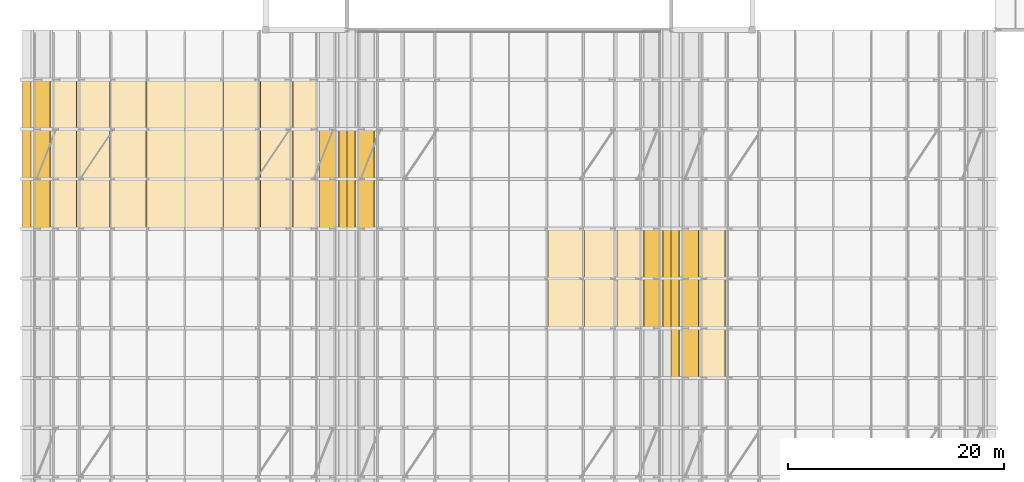
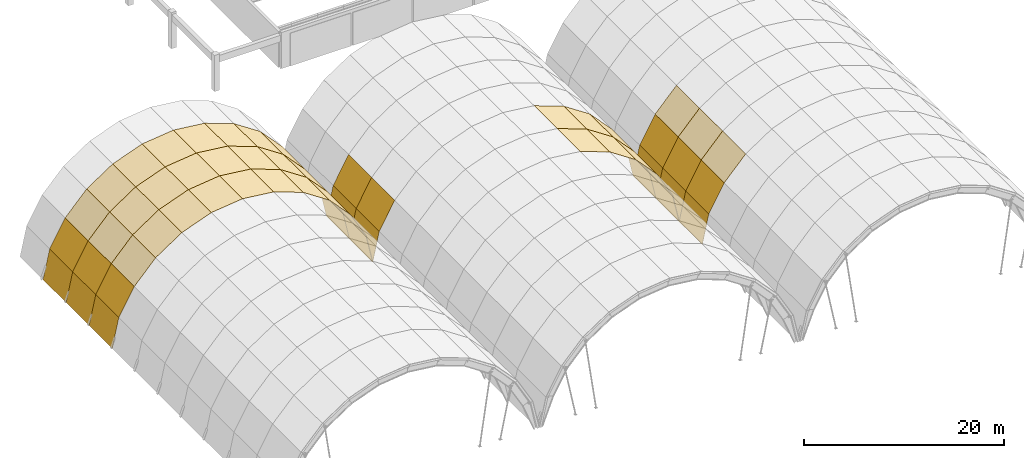
# One storey, part 43 of 47: 57 coverings.
"""IFC4 building model written with IfcOpenShell, lengths in metres."""

import ifcopenshell
import ifcopenshell.guid

model = None  # the IFC model being written
_history = None  # IfcOwnerHistory: only IFC2X3 demands one
_inside = {}  # id of a spatial element -> (the spatial element, [elements in it])
_under = {}  # id of a project, library or spatial element -> (it, [spatial elements below it])
_declared = {}  # id of a project -> (the project, [libraries it declares])
_typed = {}  # id of a type object -> (the type object, [elements of that type])
_made_of = {}  # id of a material, layer set ... -> (it, [elements and type objects made of it])


def new_model(schema):
    """Start an empty IFC model of exactly this schema.

    Asked for "IFC4X3", IfcOpenShell would pick the latest addendum, in which some entities
    have other attributes; the version numbers below select the first issue.
    IFC2X3 requires an IfcOwnerHistory on every rooted entity: one is made here for all.
    """
    global model, _history
    if schema == "IFC4X3":
        model = ifcopenshell.file(schema_version=(4, 3, 0, 0))
    else:
        model = ifcopenshell.file(schema=schema)
    _inside.clear()
    _under.clear()
    _declared.clear()
    _typed.clear()
    _made_of.clear()
    _history = None
    if model.schema == "IFC2X3":
        org = make("IfcOrganization", Name="unknown")
        user = make(
            "IfcPersonAndOrganization",
            ThePerson=make("IfcPerson", FamilyName="unknown"),
            TheOrganization=org,
        )
        app = make(
            "IfcApplication",
            ApplicationDeveloper=org,
            Version="unknown",
            ApplicationFullName="unknown",
            ApplicationIdentifier="unknown",
        )
        _history = make(
            "IfcOwnerHistory",
            OwningUser=user,
            OwningApplication=app,
            ChangeAction="ADDED",
            CreationDate=0,
        )
    return model


def make(cls, **values):
    """One entity of the class cls with the attributes given. An attribute that is None is left unset."""
    return model.create_entity(
        cls, **{name: value for name, value in values.items() if value is not None}
    )


def rooted(cls, **values):
    """An entity with a GlobalId (a new one), such as an element, a storey or a relation."""
    return make(cls, GlobalId=ifcopenshell.guid.new(), OwnerHistory=_history, **values)


def si_unit(unit_type, name, prefix=None):
    """IfcSIUnit, for example si_unit("LENGTHUNIT", "METRE", prefix="MILLI")."""
    return make("IfcSIUnit", UnitType=unit_type, Prefix=prefix, Name=name)


def assignment(units):
    """IfcUnitAssignment: the units of a project."""
    return None if units is None else make("IfcUnitAssignment", Units=units)


def point(xyz):
    """IfcCartesianPoint."""
    return None if xyz is None else make("IfcCartesianPoint", Coordinates=xyz)


def direction(xyz):
    """IfcDirection."""
    return None if xyz is None else make("IfcDirection", DirectionRatios=xyz)


def frame(location, z_axis=None, x_axis=None):
    """IfcAxis2Placement3D, a coordinate frame: its origin and axes. An axis left out is left unset."""
    return make(
        "IfcAxis2Placement3D",
        Location=point(location),
        Axis=direction(z_axis),
        RefDirection=direction(x_axis),
    )


def origin():
    """The frame at (0, 0, 0) with its axes left unset."""
    return frame((0.0, 0.0, 0.0))


def place(relative_to, where):
    """IfcLocalPlacement: puts the frame where relative to a parent placement (None: the world)."""
    return make(
        "IfcLocalPlacement", PlacementRelTo=relative_to, RelativePlacement=where
    )


def context(
    kind, dimensions, precision=None, world=None, true_north=None, identifier=None
):
    """IfcGeometricRepresentationContext, for example the 3D "Model" context."""
    return make(
        "IfcGeometricRepresentationContext",
        ContextIdentifier=identifier,
        ContextType=kind,
        CoordinateSpaceDimension=dimensions,
        Precision=precision,
        WorldCoordinateSystem=world,
        TrueNorth=true_north,
    )


def subcontext(parent, identifier, kind, view, scale=None):
    """IfcGeometricRepresentationSubContext, for example "Body" below "Model"."""
    return make(
        "IfcGeometricRepresentationSubContext",
        ContextIdentifier=identifier,
        ContextType=kind,
        ParentContext=parent,
        TargetScale=scale,
        TargetView=view,
    )


def project(units=None, contexts=None):
    """IfcProject with its units and contexts."""
    return rooted(
        "IfcProject",
        Name="project",
        RepresentationContexts=contexts,
        UnitsInContext=assignment(units),
    )


def spatial(cls, under=None, at=None, **own):
    """A site, building, storey or space (cls), placed at a placement, below another one or the project."""
    s = rooted(cls, ObjectPlacement=at, **own)
    if under is not None:
        _under.setdefault(under.id(), (under, []))[1].append(s)
    return s


def polyline(points):
    """IfcPolyline through the points."""
    return make("IfcPolyline", Points=[point(p) for p in points])


def outline(outer, holes=None, kind="AREA"):
    """IfcArbitraryClosedProfileDef: a profile drawn as a closed curve; with holes, ...WithVoids."""
    if holes is None:
        return make("IfcArbitraryClosedProfileDef", ProfileType=kind, OuterCurve=outer)
    return make(
        "IfcArbitraryProfileDefWithVoids",
        ProfileType=kind,
        OuterCurve=outer,
        InnerCurves=holes,
    )


def extrude(swept, where, along, depth):
    """IfcExtrudedAreaSolid: the profile swept, set in the frame where, extruded along a direction by depth."""
    return make(
        "IfcExtrudedAreaSolid",
        SweptArea=swept,
        Position=where,
        ExtrudedDirection=direction(along),
        Depth=depth,
    )


def shape(context_of_items, identifier, shape_type, items):
    """IfcShapeRepresentation: the items that make up one representation, for example the "Body"."""
    return make(
        "IfcShapeRepresentation",
        ContextOfItems=context_of_items,
        RepresentationIdentifier=identifier,
        RepresentationType=shape_type,
        Items=items,
    )


def material(Name=None, Category=None):
    """IfcMaterial."""
    return make("IfcMaterial", Name=Name, Category=Category)


def layer(
    of_material, thickness, ventilated=None, Name=None, Category=None, Priority=None
):
    """IfcMaterialLayer: one layer of a wall or slab, of a material (None: an air gap)."""
    return make(
        "IfcMaterialLayer",
        Material=of_material,
        LayerThickness=thickness,
        IsVentilated=ventilated,
        Name=Name,
        Category=Category,
        Priority=Priority,
    )


def layer_set(layers, Name=None):
    """IfcMaterialLayerSet."""
    return make("IfcMaterialLayerSet", MaterialLayers=layers, LayerSetName=Name)


def made_of(thing, what):
    """Note that an element or type object is made of a material, layer set ...; save() writes the relation."""
    if what is not None:
        _made_of.setdefault(what.id(), (what, []))[1].append(thing)
    return thing


def type_object(cls, material=None, **own):
    """A type object (cls), such as IfcWallType, which elements share."""
    return made_of(rooted(cls, **own), material)


def element(
    cls,
    number,
    at=None,
    inside=None,
    cuts=None,
    type_object=None,
    material=None,
    context=None,
    identifier="Body",
    shape_type=None,
    held_by="IfcProductDefinitionShape",
    body=None,
    shapes=None,
    **own,
):
    """One element of the class cls, such as IfcWall. Its Tag is "e" and its number.

    at: its placement. inside: the storey or other place that contains it. cuts: it is an
    opening in that element (IfcRelVoidsElement). A single representation is given by context,
    identifier, shape_type and body (its items); several are given by shapes. held_by: the class
    of the entity that holds the representations. save() writes the other relations.
    """
    e = rooted(cls, Tag="e%d" % number, ObjectPlacement=at, **own)
    if body is not None:
        shapes = [shape(context, identifier, shape_type, body)]
    if shapes is not None:
        e.Representation = make(held_by, Representations=shapes)
    if inside is not None:
        _inside.setdefault(inside.id(), (inside, []))[1].append(e)
    if cuts is not None:
        rooted(
            "IfcRelVoidsElement", RelatingBuildingElement=cuts, RelatedOpeningElement=e
        )
    if type_object is not None:
        _typed.setdefault(type_object.id(), (type_object, []))[1].append(e)
    return made_of(e, material)


def aggregate(whole, parts):
    """IfcRelAggregates: a whole, such as a stair, and the parts it consists of."""
    return rooted("IfcRelAggregates", RelatingObject=whole, RelatedObjects=parts)


def save(model, path):
    """Write the relations noted so far, then the file.

    IfcRelAggregates (storeys below a building ...), IfcRelContainedInSpatialStructure (elements
    in a storey), IfcRelDefinesByType, IfcRelAssociatesMaterial and IfcRelDeclares: one each for
    every whole, place, type object, material and project.
    """
    for whole, parts in _under.values():
        aggregate(whole, parts)
    for where, things in _inside.values():
        rooted(
            "IfcRelContainedInSpatialStructure",
            RelatedElements=things,
            RelatingStructure=where,
        )
    for kind, things in _typed.values():
        rooted("IfcRelDefinesByType", RelatedObjects=things, RelatingType=kind)
    for what, things in _made_of.values():
        rooted("IfcRelAssociatesMaterial", RelatedObjects=things, RelatingMaterial=what)
    for by, libraries in _declared.values():
        rooted("IfcRelDeclares", RelatingContext=by, RelatedDefinitions=libraries)
    model.write(path)


model = new_model("IFC4")

# Units and contexts
model_context = context("Model", 3, precision=1e-05, world=origin(), true_north=direction((0.0, 1.0)))
body_context = subcontext(model_context, "Body", "Model", "MODEL_VIEW")
ifc_project = project(units=[si_unit("LENGTHUNIT", "METRE"), si_unit("AREAUNIT", "SQUARE_METRE"), si_unit("VOLUMEUNIT", "CUBIC_METRE"), si_unit("PLANEANGLEUNIT", "RADIAN"), si_unit("MASSUNIT", "GRAM", prefix="KILO")], contexts=[model_context])

# Site, building, storey
site_placement = place(None, origin())
site = spatial("IfcSite", under=ifc_project, at=site_placement, CompositionType="ELEMENT")
building_placement = place(site_placement, origin())
building = spatial("IfcBuilding", under=site, at=building_placement, Name="Muzn Square Opera House", CompositionType="ELEMENT")
storey_placement = place(building_placement, frame((0.0, 0.0, 31.0)))
storey = spatial("IfcBuildingStorey", under=building, at=storey_placement, Name="RF-1", CompositionType="ELEMENT", Elevation=31.0)

# Coverings
ifc_material = material(Name="Patina green copper-zinc standing seam", Category="metal")
ifc_layer = layer(ifc_material, 0.0400390625, Name="Patina green copper-zinc standing seam", Category="metal")
ifc_layer_set = layer_set([ifc_layer], Name="Patina green copper-zinc standing seam")
covering_type = type_object("IfcCoveringType", Name="Standing Seam Green Vault Roofing", PredefinedType="ROOFING", material=ifc_layer_set)
covering_1_placement = place(storey_placement, frame((43.7431640625, 54.199951171875, -9.02001953125), z_axis=(-0.976986683404, 0.0, 0.213300305792), x_axis=(0.0, 1.0, 0.0)))
element("IfcCovering", 1, at=covering_1_placement, inside=storey, type_object=covering_type, Name="Patina Green Standing Seam Vault Roofing V1-07-F00", PredefinedType="ROOFING", context=body_context, shape_type="SweptSolid", body=[
    extrude(outline(polyline([(0.0, 3.561952816618029), (0.0, 0.0), (4.60009765625, 0.0), (4.60009765625, 3.561952816618029), (0.0, 3.561952816618029)])), origin(), (0.0, 0.0, -1.0), 0.0400390625),
])
covering_2_placement = place(storey_placement, frame((45.52490234375, 54.199951171875, -5.8681640625), z_axis=(-0.870532696062, 0.0, 0.492110582174), x_axis=(0.0, 1.0, 0.0)))
element("IfcCovering", 2, at=covering_2_placement, inside=storey, type_object=covering_type, Name="Patina Green Standing Seam Vault Roofing V1-07-F01", PredefinedType="ROOFING", context=body_context, shape_type="SweptSolid", body=[
    extrude(outline(polyline([(0.0, 3.620605501675236), (0.0, 0.0), (4.60009765625, 0.0), (4.60009765625, 3.620605501675236), (0.0, 3.620605501675236)])), origin(), (0.0, 0.0, -1.0), 0.0400390625),
])
covering_3_placement = place(storey_placement, frame((47.99072265625, 54.199951171875, -3.217041015625), z_axis=(-0.732233658575, 0.0, 0.68105349955), x_axis=(0.0, 1.0, 0.0)))
element("IfcCovering", 3, at=covering_3_placement, inside=storey, type_object=covering_type, Name="Patina Green Standing Seam Vault Roofing V1-07-F02", PredefinedType="ROOFING", context=body_context, shape_type="SweptSolid", body=[
    extrude(outline(polyline([(0.0, 3.6205970810364114), (0.0, 0.0), (4.60009765625, 0.0), (4.60009765625, 3.6205970810364114), (0.0, 3.6205970810364114)])), origin(), (0.0, 0.0, -1.0), 0.0400390625),
])
covering_4_placement = place(storey_placement, frame((51.005859375, 54.199951171875, -1.212158203125), z_axis=(-0.553703965812, 0.0, 0.832713587162), x_axis=(0.0, 1.0, 0.0)))
element("IfcCovering", 4, at=covering_4_placement, inside=storey, type_object=covering_type, Name="Patina Green Standing Seam Vault Roofing V1-07-F03", PredefinedType="ROOFING", context=body_context, shape_type="SweptSolid", body=[
    extrude(outline(polyline([(0.0, 3.620856877123484), (0.0, 0.0), (4.60009765625, 0.0), (4.60009765625, 3.620856877123484), (0.0, 3.620856877123484)])), origin(), (0.0, 0.0, -1.0), 0.0400390625),
])
covering_5_placement = place(storey_placement, frame((54.404296875, 54.199951171875, 0.036376953125), z_axis=(-0.344848988651, 0.0, 0.938658177947), x_axis=(0.0, 1.0, 0.0)))
element("IfcCovering", 5, at=covering_5_placement, inside=storey, type_object=covering_type, Name="Patina Green Standing Seam Vault Roofing V1-07-F04", PredefinedType="ROOFING", context=body_context, shape_type="SweptSolid", body=[
    extrude(outline(polyline([(0.0, 3.6205272375440654), (0.0, 0.0), (4.60009765625, 0.0), (4.60009765625, 3.6205272375440654), (0.0, 3.6205272375440654)])), origin(), (0.0, 0.0, -1.0), 0.0400390625),
])
covering_6_placement = place(storey_placement, frame((58.0, 54.199951171875, 0.4599609375), z_axis=(-0.116993830326, 0.0, 0.993132641527), x_axis=(0.0, 1.0, 0.0)))
element("IfcCovering", 6, at=covering_6_placement, inside=storey, type_object=covering_type, Name="Patina Green Standing Seam Vault Roofing V1-07-F05", PredefinedType="ROOFING", context=body_context, shape_type="SweptSolid", body=[
    extrude(outline(polyline([(0.0, 3.620566855473569), (0.0, 0.0), (4.60009765625, 0.0), (4.60009765625, 3.620566855473569), (0.0, 3.620566855473569)])), origin(), (0.0, 0.0, -1.0), 0.0400390625),
])
covering_7_placement = place(storey_placement, frame((58.0, 54.199951171875, 0.4599609375), z_axis=(0.116993830326, 0.0, 0.993132641527), x_axis=(0.993132641527, 0.0, -0.116993830326)))
element("IfcCovering", 7, at=covering_7_placement, inside=storey, type_object=covering_type, Name="Patina Green Standing Seam Vault Roofing V1-07-F06", PredefinedType="ROOFING", context=body_context, shape_type="SweptSolid", body=[
    extrude(outline(polyline([(0.0, 0.0), (3.620566855473569, 0.0), (3.620566855473569, 4.60009765625), (0.0, 4.60009765625), (0.0, 0.0)])), origin(), (0.0, 0.0, -1.0), 0.0400390625),
])
covering_8_placement = place(storey_placement, frame((61.595703125, 54.199951171875, 0.036376953125), z_axis=(0.344848988651, 0.0, 0.938658177947), x_axis=(0.938658177947, 0.0, -0.344848988651)))
element("IfcCovering", 8, at=covering_8_placement, inside=storey, type_object=covering_type, Name="Patina Green Standing Seam Vault Roofing V1-07-F07", PredefinedType="ROOFING", context=body_context, shape_type="SweptSolid", body=[
    extrude(outline(polyline([(0.0, 0.0), (3.6205272375440654, 0.0), (3.6205272375440654, 4.60009765625), (0.0, 4.60009765625), (0.0, 0.0)])), origin(), (0.0, 0.0, -1.0), 0.0400390625),
])
covering_9_placement = place(storey_placement, frame((64.994140625, 54.199951171875, -1.212158203125), z_axis=(0.553703965812, 0.0, 0.832713587162), x_axis=(0.832713587162, 0.0, -0.553703965812)))
element("IfcCovering", 9, at=covering_9_placement, inside=storey, type_object=covering_type, Name="Patina Green Standing Seam Vault Roofing V1-07-F08", PredefinedType="ROOFING", context=body_context, shape_type="SweptSolid", body=[
    extrude(outline(polyline([(0.0, 0.0), (3.620856877123484, 0.0), (3.620856877123484, 4.60009765625), (0.0, 4.60009765625), (0.0, 0.0)])), origin(), (0.0, 0.0, -1.0), 0.0400390625),
])
covering_10_placement = place(storey_placement, frame((68.00927734375, 54.199951171875, -3.217041015625), z_axis=(0.732233658575, 0.0, 0.68105349955), x_axis=(0.68105349955, 0.0, -0.732233658575)))
element("IfcCovering", 10, at=covering_10_placement, inside=storey, type_object=covering_type, Name="Patina Green Standing Seam Vault Roofing V1-07-F09", PredefinedType="ROOFING", context=body_context, shape_type="SweptSolid", body=[
    extrude(outline(polyline([(0.0, 0.0), (3.6205970810364114, 0.0), (3.6205970810364114, 4.60009765625), (0.0, 4.60009765625), (0.0, 0.0)])), origin(), (0.0, 0.0, -1.0), 0.0400390625),
])
covering_11_placement = place(storey_placement, frame((70.47509765625, 54.199951171875, -5.8681640625), z_axis=(0.870532696062, 0.0, 0.492110582174), x_axis=(0.492110582174, 0.0, -0.870532696062)))
element("IfcCovering", 11, at=covering_11_placement, inside=storey, type_object=covering_type, Name="Patina Green Standing Seam Vault Roofing V1-07-F10", PredefinedType="ROOFING", context=body_context, shape_type="SweptSolid", body=[
    extrude(outline(polyline([(0.0, 0.0), (3.6206055016752363, 0.0), (3.6206055016752363, 4.60009765625), (0.0, 4.60009765625), (0.0, 0.0)])), origin(), (0.0, 0.0, -1.0), 0.0400390625),
])
covering_12_placement = place(storey_placement, frame((72.2568359375, 54.199951171875, -9.02001953125), z_axis=(0.976986683404, 0.0, 0.213300305792), x_axis=(0.213300305792, 0.0, -0.976986683404)))
element("IfcCovering", 12, at=covering_12_placement, inside=storey, type_object=covering_type, Name="Patina Green Standing Seam Vault Roofing V1-07-F11", PredefinedType="ROOFING", context=body_context, shape_type="SweptSolid", body=[
    extrude(outline(polyline([(0.0, 0.0), (3.5619528166180294, 0.0), (3.5619528166180294, 4.600097656249999), (0.0, 4.600097656249999), (0.0, 0.0)])), origin(), (0.0, 0.0, -1.0), 0.0400390625),
])
covering_13_placement = place(storey_placement, frame((43.7431640625, 58.800048828125, -9.02001953125), z_axis=(-0.976986683404, 0.0, 0.213300305792), x_axis=(0.0, 1.0, 0.0)))
element("IfcCovering", 13, at=covering_13_placement, inside=storey, type_object=covering_type, Name="Patina Green Standing Seam Vault Roofing V1-08-F00", PredefinedType="ROOFING", context=body_context, shape_type="SweptSolid", body=[
    extrude(outline(polyline([(0.0, 3.56195281661803), (0.0, 0.0), (4.599853515625, 0.0), (4.599853515625, 3.56195281661803), (0.0, 3.56195281661803)])), origin(), (0.0, 0.0, -1.0), 0.0400390625),
])
covering_14_placement = place(storey_placement, frame((45.52490234375, 58.800048828125, -5.8681640625), z_axis=(-0.870532696062, 0.0, 0.492110582174), x_axis=(0.0, 1.0, 0.0)))
element("IfcCovering", 14, at=covering_14_placement, inside=storey, type_object=covering_type, Name="Patina Green Standing Seam Vault Roofing V1-08-F01", PredefinedType="ROOFING", context=body_context, shape_type="SweptSolid", body=[
    extrude(outline(polyline([(0.0, 3.6206055016752363), (0.0, 0.0), (4.599853515625, 0.0), (4.599853515625, 3.6206055016752363), (0.0, 3.6206055016752363)])), origin(), (0.0, 0.0, -1.0), 0.0400390625),
])
covering_15_placement = place(storey_placement, frame((47.99072265625, 58.800048828125, -3.217041015625), z_axis=(-0.732233658575, 0.0, 0.68105349955), x_axis=(0.0, 1.0, 0.0)))
element("IfcCovering", 15, at=covering_15_placement, inside=storey, type_object=covering_type, Name="Patina Green Standing Seam Vault Roofing V1-08-F02", PredefinedType="ROOFING", context=body_context, shape_type="SweptSolid", body=[
    extrude(outline(polyline([(0.0, 3.6205970810364114), (0.0, 0.0), (4.599853515625, 0.0), (4.599853515625, 3.6205970810364114), (0.0, 3.6205970810364114)])), origin(), (0.0, 0.0, -1.0), 0.0400390625),
])
covering_16_placement = place(storey_placement, frame((51.005859375, 58.800048828125, -1.212158203125), z_axis=(-0.553703965812, 0.0, 0.832713587162), x_axis=(0.0, 1.0, 0.0)))
element("IfcCovering", 16, at=covering_16_placement, inside=storey, type_object=covering_type, Name="Patina Green Standing Seam Vault Roofing V1-08-F03", PredefinedType="ROOFING", context=body_context, shape_type="SweptSolid", body=[
    extrude(outline(polyline([(0.0, 3.620856877123484), (0.0, 0.0), (4.599853515625, 0.0), (4.599853515625, 3.620856877123484), (0.0, 3.620856877123484)])), origin(), (0.0, 0.0, -1.0), 0.0400390625),
])
covering_17_placement = place(storey_placement, frame((54.404296875, 58.800048828125, 0.036376953125), z_axis=(-0.344848988651, 0.0, 0.938658177947), x_axis=(0.0, 1.0, 0.0)))
element("IfcCovering", 17, at=covering_17_placement, inside=storey, type_object=covering_type, Name="Patina Green Standing Seam Vault Roofing V1-08-F04", PredefinedType="ROOFING", context=body_context, shape_type="SweptSolid", body=[
    extrude(outline(polyline([(0.0, 3.6205272375440662), (0.0, 0.0), (4.599853515625, 0.0), (4.599853515625, 3.6205272375440662), (0.0, 3.6205272375440662)])), origin(), (0.0, 0.0, -1.0), 0.0400390625),
])
covering_18_placement = place(storey_placement, frame((58.0, 58.800048828125, 0.4599609375), z_axis=(-0.116993830326, 0.0, 0.993132641527), x_axis=(0.0, 1.0, 0.0)))
element("IfcCovering", 18, at=covering_18_placement, inside=storey, type_object=covering_type, Name="Patina Green Standing Seam Vault Roofing V1-08-F05", PredefinedType="ROOFING", context=body_context, shape_type="SweptSolid", body=[
    extrude(outline(polyline([(0.0, 3.620566855473569), (0.0, 0.0), (4.599853515625, 0.0), (4.599853515625, 3.620566855473569), (0.0, 3.620566855473569)])), origin(), (0.0, 0.0, -1.0), 0.0400390625),
])
covering_19_placement = place(storey_placement, frame((58.0, 58.800048828125, 0.4599609375), z_axis=(0.116993830326, 0.0, 0.993132641527), x_axis=(0.993132641527, 0.0, -0.116993830326)))
element("IfcCovering", 19, at=covering_19_placement, inside=storey, type_object=covering_type, Name="Patina Green Standing Seam Vault Roofing V1-08-F06", PredefinedType="ROOFING", context=body_context, shape_type="SweptSolid", body=[
    extrude(outline(polyline([(0.0, 0.0), (3.620566855473569, 0.0), (3.620566855473569, 4.599853515625), (0.0, 4.599853515625), (0.0, 0.0)])), origin(), (0.0, 0.0, -1.0), 0.0400390625),
])
covering_20_placement = place(storey_placement, frame((61.595703125, 58.800048828125, 0.036376953125), z_axis=(0.344848988651, 0.0, 0.938658177947), x_axis=(0.938658177947, 0.0, -0.344848988651)))
element("IfcCovering", 20, at=covering_20_placement, inside=storey, type_object=covering_type, Name="Patina Green Standing Seam Vault Roofing V1-08-F07", PredefinedType="ROOFING", context=body_context, shape_type="SweptSolid", body=[
    extrude(outline(polyline([(0.0, 0.0), (3.620527237544066, 0.0), (3.620527237544066, 4.599853515625001), (0.0, 4.599853515625001), (0.0, 0.0)])), origin(), (0.0, 0.0, -1.0), 0.0400390625),
])
covering_21_placement = place(storey_placement, frame((64.994140625, 58.800048828125, -1.212158203125), z_axis=(0.553703965812, 0.0, 0.832713587162), x_axis=(0.832713587162, 0.0, -0.553703965812)))
element("IfcCovering", 21, at=covering_21_placement, inside=storey, type_object=covering_type, Name="Patina Green Standing Seam Vault Roofing V1-08-F08", PredefinedType="ROOFING", context=body_context, shape_type="SweptSolid", body=[
    extrude(outline(polyline([(0.0, 0.0), (3.620856877123484, 0.0), (3.620856877123484, 4.599853515625), (0.0, 4.599853515625), (0.0, 0.0)])), origin(), (0.0, 0.0, -1.0), 0.0400390625),
])
covering_22_placement = place(storey_placement, frame((68.00927734375, 58.800048828125, -3.217041015625), z_axis=(0.732233658575, 0.0, 0.68105349955), x_axis=(0.68105349955, 0.0, -0.732233658575)))
element("IfcCovering", 22, at=covering_22_placement, inside=storey, type_object=covering_type, Name="Patina Green Standing Seam Vault Roofing V1-08-F09", PredefinedType="ROOFING", context=body_context, shape_type="SweptSolid", body=[
    extrude(outline(polyline([(0.0, 0.0), (3.6205970810364114, 0.0), (3.6205970810364114, 4.599853515625), (0.0, 4.599853515625), (0.0, 0.0)])), origin(), (0.0, 0.0, -1.0), 0.0400390625),
])
covering_23_placement = place(storey_placement, frame((70.47509765625, 58.800048828125, -5.8681640625), z_axis=(0.870532696062, 0.0, 0.492110582174), x_axis=(0.492110582174, 0.0, -0.870532696062)))
element("IfcCovering", 23, at=covering_23_placement, inside=storey, type_object=covering_type, Name="Patina Green Standing Seam Vault Roofing V1-08-F10", PredefinedType="ROOFING", context=body_context, shape_type="SweptSolid", body=[
    extrude(outline(polyline([(0.0, 0.0), (3.620605501675236, 0.0), (3.620605501675236, 4.599853515625001), (0.0, 4.599853515625001), (0.0, 0.0)])), origin(), (0.0, 0.0, -1.0), 0.0400390625),
])
covering_24_placement = place(storey_placement, frame((72.2568359375, 58.800048828125, -9.02001953125), z_axis=(0.976986683404, 0.0, 0.213300305792), x_axis=(0.213300305792, 0.0, -0.976986683404)))
element("IfcCovering", 24, at=covering_24_placement, inside=storey, type_object=covering_type, Name="Patina Green Standing Seam Vault Roofing V1-08-F11", PredefinedType="ROOFING", context=body_context, shape_type="SweptSolid", body=[
    extrude(outline(polyline([(0.0, 0.0), (3.5619528166180294, 0.0), (3.5619528166180294, 4.599853515625001), (0.0, 4.599853515625001), (0.0, 0.0)])), origin(), (0.0, 0.0, -1.0), 0.0400390625),
])
covering_25_placement = place(storey_placement, frame((43.7431640625, 63.39990234375, -9.02001953125), z_axis=(-0.976986683404, 0.0, 0.213300305792), x_axis=(0.0, 1.0, 0.0)))
element("IfcCovering", 25, at=covering_25_placement, inside=storey, type_object=covering_type, Name="Patina Green Standing Seam Vault Roofing V1-09-F00", PredefinedType="ROOFING", context=body_context, shape_type="SweptSolid", body=[
    extrude(outline(polyline([(0.0, 3.561952816618029), (0.0, 0.0), (4.60009765625, 0.0), (4.60009765625, 3.561952816618029), (0.0, 3.561952816618029)])), origin(), (0.0, 0.0, -1.0), 0.0400390625),
])
covering_26_placement = place(storey_placement, frame((45.52490234375, 63.39990234375, -5.8681640625), z_axis=(-0.870532696062, 0.0, 0.492110582174), x_axis=(0.0, 1.0, 0.0)))
element("IfcCovering", 26, at=covering_26_placement, inside=storey, type_object=covering_type, Name="Patina Green Standing Seam Vault Roofing V1-09-F01", PredefinedType="ROOFING", context=body_context, shape_type="SweptSolid", body=[
    extrude(outline(polyline([(0.0, 3.620605501675236), (0.0, 0.0), (4.60009765625, 0.0), (4.60009765625, 3.620605501675236), (0.0, 3.620605501675236)])), origin(), (0.0, 0.0, -1.0), 0.0400390625),
])
covering_27_placement = place(storey_placement, frame((47.99072265625, 63.39990234375, -3.217041015625), z_axis=(-0.732233658575, 0.0, 0.68105349955), x_axis=(0.0, 1.0, 0.0)))
element("IfcCovering", 27, at=covering_27_placement, inside=storey, type_object=covering_type, Name="Patina Green Standing Seam Vault Roofing V1-09-F02", PredefinedType="ROOFING", context=body_context, shape_type="SweptSolid", body=[
    extrude(outline(polyline([(0.0, 3.6205970810364114), (0.0, 0.0), (4.60009765625, 0.0), (4.60009765625, 3.6205970810364114), (0.0, 3.6205970810364114)])), origin(), (0.0, 0.0, -1.0), 0.0400390625),
])
covering_28_placement = place(storey_placement, frame((51.005859375, 63.39990234375, -1.212158203125), z_axis=(-0.553703965812, 0.0, 0.832713587162), x_axis=(0.0, 1.0, 0.0)))
element("IfcCovering", 28, at=covering_28_placement, inside=storey, type_object=covering_type, Name="Patina Green Standing Seam Vault Roofing V1-09-F03", PredefinedType="ROOFING", context=body_context, shape_type="SweptSolid", body=[
    extrude(outline(polyline([(0.0, 3.620856877123484), (0.0, 0.0), (4.60009765625, 0.0), (4.60009765625, 3.620856877123484), (0.0, 3.620856877123484)])), origin(), (0.0, 0.0, -1.0), 0.0400390625),
])
covering_29_placement = place(storey_placement, frame((54.404296875, 63.39990234375, 0.036376953125), z_axis=(-0.344848988651, 0.0, 0.938658177947), x_axis=(0.0, 1.0, 0.0)))
element("IfcCovering", 29, at=covering_29_placement, inside=storey, type_object=covering_type, Name="Patina Green Standing Seam Vault Roofing V1-09-F04", PredefinedType="ROOFING", context=body_context, shape_type="SweptSolid", body=[
    extrude(outline(polyline([(0.0, 3.6205272375440654), (0.0, 0.0), (4.60009765625, 0.0), (4.60009765625, 3.6205272375440654), (0.0, 3.6205272375440654)])), origin(), (0.0, 0.0, -1.0), 0.0400390625),
])
covering_30_placement = place(storey_placement, frame((58.0, 63.39990234375, 0.4599609375), z_axis=(-0.116993830326, 0.0, 0.993132641527), x_axis=(0.0, 1.0, 0.0)))
element("IfcCovering", 30, at=covering_30_placement, inside=storey, type_object=covering_type, Name="Patina Green Standing Seam Vault Roofing V1-09-F05", PredefinedType="ROOFING", context=body_context, shape_type="SweptSolid", body=[
    extrude(outline(polyline([(0.0, 3.620566855473569), (0.0, 0.0), (4.60009765625, 0.0), (4.60009765625, 3.620566855473569), (0.0, 3.620566855473569)])), origin(), (0.0, 0.0, -1.0), 0.0400390625),
])
covering_31_placement = place(storey_placement, frame((58.0, 63.39990234375, 0.4599609375), z_axis=(0.116993830326, 0.0, 0.993132641527), x_axis=(0.993132641527, 0.0, -0.116993830326)))
element("IfcCovering", 31, at=covering_31_placement, inside=storey, type_object=covering_type, Name="Patina Green Standing Seam Vault Roofing V1-09-F06", PredefinedType="ROOFING", context=body_context, shape_type="SweptSolid", body=[
    extrude(outline(polyline([(0.0, 0.0), (3.620566855473569, 0.0), (3.620566855473569, 4.60009765625), (0.0, 4.60009765625), (0.0, 0.0)])), origin(), (0.0, 0.0, -1.0), 0.0400390625),
])
covering_32_placement = place(storey_placement, frame((61.595703125, 63.39990234375, 0.036376953125), z_axis=(0.344848988651, 0.0, 0.938658177947), x_axis=(0.938658177947, 0.0, -0.344848988651)))
element("IfcCovering", 32, at=covering_32_placement, inside=storey, type_object=covering_type, Name="Patina Green Standing Seam Vault Roofing V1-09-F07", PredefinedType="ROOFING", context=body_context, shape_type="SweptSolid", body=[
    extrude(outline(polyline([(0.0, 0.0), (3.6205272375440654, 0.0), (3.6205272375440654, 4.60009765625), (0.0, 4.60009765625), (0.0, 0.0)])), origin(), (0.0, 0.0, -1.0), 0.0400390625),
])
covering_33_placement = place(storey_placement, frame((64.994140625, 63.39990234375, -1.212158203125), z_axis=(0.553703965812, 0.0, 0.832713587162), x_axis=(0.832713587162, 0.0, -0.553703965812)))
element("IfcCovering", 33, at=covering_33_placement, inside=storey, type_object=covering_type, Name="Patina Green Standing Seam Vault Roofing V1-09-F08", PredefinedType="ROOFING", context=body_context, shape_type="SweptSolid", body=[
    extrude(outline(polyline([(0.0, 0.0), (3.620856877123484, 0.0), (3.620856877123484, 4.60009765625), (0.0, 4.60009765625), (0.0, 0.0)])), origin(), (0.0, 0.0, -1.0), 0.0400390625),
])
covering_34_placement = place(storey_placement, frame((68.00927734375, 63.39990234375, -3.217041015625), z_axis=(0.732233658575, 0.0, 0.68105349955), x_axis=(0.68105349955, 0.0, -0.732233658575)))
element("IfcCovering", 34, at=covering_34_placement, inside=storey, type_object=covering_type, Name="Patina Green Standing Seam Vault Roofing V1-09-F09", PredefinedType="ROOFING", context=body_context, shape_type="SweptSolid", body=[
    extrude(outline(polyline([(0.0, 0.0), (3.6205970810364114, 0.0), (3.6205970810364114, 4.60009765625), (0.0, 4.60009765625), (0.0, 0.0)])), origin(), (0.0, 0.0, -1.0), 0.0400390625),
])
covering_35_placement = place(storey_placement, frame((91.595703125, 45.0, 0.036376953125), z_axis=(0.344848988651, 0.0, 0.938658177947), x_axis=(0.938658177947, 0.0, -0.344848988651)))
element("IfcCovering", 35, at=covering_35_placement, inside=storey, type_object=covering_type, Name="Patina Green Standing Seam Vault Roofing V2-05-F07", PredefinedType="ROOFING", context=body_context, shape_type="SweptSolid", body=[
    extrude(outline(polyline([(0.0, 0.0), (3.6205272375440654, 0.0), (3.6205272375440654, 4.60009765625), (0.0, 4.60009765625), (0.0, 0.0)])), origin(), (0.0, 0.0, -1.0), 0.0400390625),
])
covering_36_placement = place(storey_placement, frame((94.994140625, 45.0, -1.212158203125), z_axis=(0.553703965812, 0.0, 0.832713587162), x_axis=(0.832713587162, 0.0, -0.553703965812)))
element("IfcCovering", 36, at=covering_36_placement, inside=storey, type_object=covering_type, Name="Patina Green Standing Seam Vault Roofing V2-05-F08", PredefinedType="ROOFING", context=body_context, shape_type="SweptSolid", body=[
    extrude(outline(polyline([(0.0, 0.0), (3.620856877123484, 0.0), (3.620856877123484, 4.60009765625), (0.0, 4.60009765625), (0.0, 0.0)])), origin(), (0.0, 0.0, -1.0), 0.0400390625),
])
covering_37_placement = place(storey_placement, frame((98.00927734375, 45.0, -3.217041015625), z_axis=(0.732233658575, 0.0, 0.68105349955), x_axis=(0.68105349955, 0.0, -0.732233658575)))
element("IfcCovering", 37, at=covering_37_placement, inside=storey, type_object=covering_type, Name="Patina Green Standing Seam Vault Roofing V2-05-F09", PredefinedType="ROOFING", context=body_context, shape_type="SweptSolid", body=[
    extrude(outline(polyline([(0.0, 0.0), (3.6205970810364114, 0.0), (3.6205970810364114, 4.60009765625), (0.0, 4.60009765625), (0.0, 0.0)])), origin(), (0.0, 0.0, -1.0), 0.0400390625),
])
covering_38_placement = place(storey_placement, frame((100.47509765625, 45.0, -5.8681640625), z_axis=(0.870532696062, 0.0, 0.492110582174), x_axis=(0.492110582174, 0.0, -0.870532696062)))
element("IfcCovering", 38, at=covering_38_placement, inside=storey, type_object=covering_type, Name="Patina Green Standing Seam Vault Roofing V2-05-F10", PredefinedType="ROOFING", context=body_context, shape_type="SweptSolid", body=[
    extrude(outline(polyline([(0.0, 0.0), (3.6206055016752363, 0.0), (3.6206055016752363, 4.60009765625), (0.0, 4.60009765625), (0.0, 0.0)])), origin(), (0.0, 0.0, -1.0), 0.0400390625),
])
covering_39_placement = place(storey_placement, frame((102.2568359375, 45.0, -9.02001953125), z_axis=(0.976986683404, 0.0, 0.213300305792), x_axis=(0.213300305792, 0.0, -0.976986683404)))
element("IfcCovering", 39, at=covering_39_placement, inside=storey, type_object=covering_type, Name="Patina Green Standing Seam Vault Roofing V2-05-F11", PredefinedType="ROOFING", context=body_context, shape_type="SweptSolid", body=[
    extrude(outline(polyline([(0.0, 0.0), (3.5619528166180294, 0.0), (3.5619528166180294, 4.600097656249999), (0.0, 4.600097656249999), (0.0, 0.0)])), origin(), (0.0, 0.0, -1.0), 0.0400390625),
])
covering_40_placement = place(storey_placement, frame((91.595703125, 49.60009765625, 0.036376953125), z_axis=(0.344848988651, 0.0, 0.938658177947), x_axis=(0.938658177947, 0.0, -0.344848988651)))
element("IfcCovering", 40, at=covering_40_placement, inside=storey, type_object=covering_type, Name="Patina Green Standing Seam Vault Roofing V2-06-F07", PredefinedType="ROOFING", context=body_context, shape_type="SweptSolid", body=[
    extrude(outline(polyline([(0.0, 0.0), (3.620527237544066, 0.0), (3.620527237544066, 4.599853515625001), (0.0, 4.599853515625001), (0.0, 0.0)])), origin(), (0.0, 0.0, -1.0), 0.0400390625),
])
covering_41_placement = place(storey_placement, frame((94.994140625, 49.60009765625, -1.212158203125), z_axis=(0.553703965812, 0.0, 0.832713587162), x_axis=(0.832713587162, 0.0, -0.553703965812)))
element("IfcCovering", 41, at=covering_41_placement, inside=storey, type_object=covering_type, Name="Patina Green Standing Seam Vault Roofing V2-06-F08", PredefinedType="ROOFING", context=body_context, shape_type="SweptSolid", body=[
    extrude(outline(polyline([(0.0, 0.0), (3.620856877123484, 0.0), (3.620856877123484, 4.599853515625), (0.0, 4.599853515625), (0.0, 0.0)])), origin(), (0.0, 0.0, -1.0), 0.0400390625),
])
covering_42_placement = place(storey_placement, frame((98.00927734375, 49.60009765625, -3.217041015625), z_axis=(0.732233658575, 0.0, 0.68105349955), x_axis=(0.68105349955, 0.0, -0.732233658575)))
element("IfcCovering", 42, at=covering_42_placement, inside=storey, type_object=covering_type, Name="Patina Green Standing Seam Vault Roofing V2-06-F09", PredefinedType="ROOFING", context=body_context, shape_type="SweptSolid", body=[
    extrude(outline(polyline([(0.0, 0.0), (3.6205970810364114, 0.0), (3.6205970810364114, 4.599853515625), (0.0, 4.599853515625), (0.0, 0.0)])), origin(), (0.0, 0.0, -1.0), 0.0400390625),
])
covering_43_placement = place(storey_placement, frame((100.47509765625, 49.60009765625, -5.8681640625), z_axis=(0.870532696062, 0.0, 0.492110582174), x_axis=(0.492110582174, 0.0, -0.870532696062)))
element("IfcCovering", 43, at=covering_43_placement, inside=storey, type_object=covering_type, Name="Patina Green Standing Seam Vault Roofing V2-06-F10", PredefinedType="ROOFING", context=body_context, shape_type="SweptSolid", body=[
    extrude(outline(polyline([(0.0, 0.0), (3.620605501675236, 0.0), (3.620605501675236, 4.599853515625001), (0.0, 4.599853515625001), (0.0, 0.0)])), origin(), (0.0, 0.0, -1.0), 0.0400390625),
])
covering_44_placement = place(storey_placement, frame((102.2568359375, 49.60009765625, -9.02001953125), z_axis=(0.976986683404, 0.0, 0.213300305792), x_axis=(0.213300305792, 0.0, -0.976986683404)))
element("IfcCovering", 44, at=covering_44_placement, inside=storey, type_object=covering_type, Name="Patina Green Standing Seam Vault Roofing V2-06-F11", PredefinedType="ROOFING", context=body_context, shape_type="SweptSolid", body=[
    extrude(outline(polyline([(0.0, 0.0), (3.5619528166180294, 0.0), (3.5619528166180294, 4.599853515625001), (0.0, 4.599853515625001), (0.0, 0.0)])), origin(), (0.0, 0.0, -1.0), 0.0400390625),
])
covering_45_placement = place(storey_placement, frame((73.7431640625, 54.199951171875, -9.02001953125), z_axis=(-0.976986683404, 0.0, 0.213300305792), x_axis=(0.0, 1.0, 0.0)))
element("IfcCovering", 45, at=covering_45_placement, inside=storey, type_object=covering_type, Name="Patina Green Standing Seam Vault Roofing V2-07-F00", PredefinedType="ROOFING", context=body_context, shape_type="SweptSolid", body=[
    extrude(outline(polyline([(0.0, 3.561952816618029), (0.0, 0.0), (4.60009765625, 0.0), (4.60009765625, 3.561952816618029), (0.0, 3.561952816618029)])), origin(), (0.0, 0.0, -1.0), 0.0400390625),
])
covering_46_placement = place(storey_placement, frame((75.52490234375, 54.199951171875, -5.8681640625), z_axis=(-0.870532696062, 0.0, 0.492110582174), x_axis=(0.0, 1.0, 0.0)))
element("IfcCovering", 46, at=covering_46_placement, inside=storey, type_object=covering_type, Name="Patina Green Standing Seam Vault Roofing V2-07-F01", PredefinedType="ROOFING", context=body_context, shape_type="SweptSolid", body=[
    extrude(outline(polyline([(0.0, 3.620605501675236), (0.0, 0.0), (4.60009765625, 0.0), (4.60009765625, 3.620605501675236), (0.0, 3.620605501675236)])), origin(), (0.0, 0.0, -1.0), 0.0400390625),
])
covering_47_placement = place(storey_placement, frame((73.7431640625, 58.800048828125, -9.02001953125), z_axis=(-0.976986683404, 0.0, 0.213300305792), x_axis=(0.0, 1.0, 0.0)))
element("IfcCovering", 47, at=covering_47_placement, inside=storey, type_object=covering_type, Name="Patina Green Standing Seam Vault Roofing V2-08-F00", PredefinedType="ROOFING", context=body_context, shape_type="SweptSolid", body=[
    extrude(outline(polyline([(0.0, 3.56195281661803), (0.0, 0.0), (4.599853515625, 0.0), (4.599853515625, 3.56195281661803), (0.0, 3.56195281661803)])), origin(), (0.0, 0.0, -1.0), 0.0400390625),
])
covering_48_placement = place(storey_placement, frame((75.52490234375, 58.800048828125, -5.8681640625), z_axis=(-0.870532696062, 0.0, 0.492110582174), x_axis=(0.0, 1.0, 0.0)))
element("IfcCovering", 48, at=covering_48_placement, inside=storey, type_object=covering_type, Name="Patina Green Standing Seam Vault Roofing V2-08-F01", PredefinedType="ROOFING", context=body_context, shape_type="SweptSolid", body=[
    extrude(outline(polyline([(0.0, 3.6206055016752363), (0.0, 0.0), (4.599853515625, 0.0), (4.599853515625, 3.6206055016752363), (0.0, 3.6206055016752363)])), origin(), (0.0, 0.0, -1.0), 0.0400390625),
])
covering_49_placement = place(storey_placement, frame((103.7431640625, 40.39990234375, -9.02001953125), z_axis=(-0.976986683404, 0.0, 0.213300305792), x_axis=(0.0, 1.0, 0.0)))
element("IfcCovering", 49, at=covering_49_placement, inside=storey, type_object=covering_type, Name="Patina Green Standing Seam Vault Roofing V3-04-F00", PredefinedType="ROOFING", context=body_context, shape_type="SweptSolid", body=[
    extrude(outline(polyline([(0.0, 3.561952816618029), (0.0, 0.0), (4.60009765625, 0.0), (4.60009765625, 3.561952816618029), (0.0, 3.561952816618029)])), origin(), (0.0, 0.0, -1.0), 0.0400390625),
])
covering_50_placement = place(storey_placement, frame((105.52490234375, 40.39990234375, -5.8681640625), z_axis=(-0.870532696062, 0.0, 0.492110582174), x_axis=(0.0, 1.0, 0.0)))
element("IfcCovering", 50, at=covering_50_placement, inside=storey, type_object=covering_type, Name="Patina Green Standing Seam Vault Roofing V3-04-F01", PredefinedType="ROOFING", context=body_context, shape_type="SweptSolid", body=[
    extrude(outline(polyline([(0.0, 3.620605501675236), (0.0, 0.0), (4.60009765625, 0.0), (4.60009765625, 3.620605501675236), (0.0, 3.620605501675236)])), origin(), (0.0, 0.0, -1.0), 0.0400390625),
])
covering_51_placement = place(storey_placement, frame((107.99072265625, 40.39990234375, -3.217041015625), z_axis=(-0.732233658575, 0.0, 0.68105349955), x_axis=(0.0, 1.0, 0.0)))
element("IfcCovering", 51, at=covering_51_placement, inside=storey, type_object=covering_type, Name="Patina Green Standing Seam Vault Roofing V3-04-F02", PredefinedType="ROOFING", context=body_context, shape_type="SweptSolid", body=[
    extrude(outline(polyline([(0.0, 3.6205970810364114), (0.0, 0.0), (4.60009765625, 0.0), (4.60009765625, 3.6205970810364114), (0.0, 3.6205970810364114)])), origin(), (0.0, 0.0, -1.0), 0.0400390625),
])
covering_52_placement = place(storey_placement, frame((103.7431640625, 45.0, -9.02001953125), z_axis=(-0.976986683404, 0.0, 0.213300305792), x_axis=(0.0, 1.0, 0.0)))
element("IfcCovering", 52, at=covering_52_placement, inside=storey, type_object=covering_type, Name="Patina Green Standing Seam Vault Roofing V3-05-F00", PredefinedType="ROOFING", context=body_context, shape_type="SweptSolid", body=[
    extrude(outline(polyline([(0.0, 3.561952816618029), (0.0, 0.0), (4.60009765625, 0.0), (4.60009765625, 3.561952816618029), (0.0, 3.561952816618029)])), origin(), (0.0, 0.0, -1.0), 0.0400390625),
])
covering_53_placement = place(storey_placement, frame((105.52490234375, 45.0, -5.8681640625), z_axis=(-0.870532696062, 0.0, 0.492110582174), x_axis=(0.0, 1.0, 0.0)))
element("IfcCovering", 53, at=covering_53_placement, inside=storey, type_object=covering_type, Name="Patina Green Standing Seam Vault Roofing V3-05-F01", PredefinedType="ROOFING", context=body_context, shape_type="SweptSolid", body=[
    extrude(outline(polyline([(0.0, 3.620605501675236), (0.0, 0.0), (4.60009765625, 0.0), (4.60009765625, 3.620605501675236), (0.0, 3.620605501675236)])), origin(), (0.0, 0.0, -1.0), 0.0400390625),
])
covering_54_placement = place(storey_placement, frame((107.99072265625, 45.0, -3.217041015625), z_axis=(-0.732233658575, 0.0, 0.68105349955), x_axis=(0.0, 1.0, 0.0)))
element("IfcCovering", 54, at=covering_54_placement, inside=storey, type_object=covering_type, Name="Patina Green Standing Seam Vault Roofing V3-05-F02", PredefinedType="ROOFING", context=body_context, shape_type="SweptSolid", body=[
    extrude(outline(polyline([(0.0, 3.6205970810364114), (0.0, 0.0), (4.60009765625, 0.0), (4.60009765625, 3.6205970810364114), (0.0, 3.6205970810364114)])), origin(), (0.0, 0.0, -1.0), 0.0400390625),
])
covering_55_placement = place(storey_placement, frame((103.7431640625, 49.60009765625, -9.02001953125), z_axis=(-0.976986683404, 0.0, 0.213300305792), x_axis=(0.0, 1.0, 0.0)))
element("IfcCovering", 55, at=covering_55_placement, inside=storey, type_object=covering_type, Name="Patina Green Standing Seam Vault Roofing V3-06-F00", PredefinedType="ROOFING", context=body_context, shape_type="SweptSolid", body=[
    extrude(outline(polyline([(0.0, 3.56195281661803), (0.0, 0.0), (4.599853515625, 0.0), (4.599853515625, 3.56195281661803), (0.0, 3.56195281661803)])), origin(), (0.0, 0.0, -1.0), 0.0400390625),
])
covering_56_placement = place(storey_placement, frame((105.52490234375, 49.60009765625, -5.8681640625), z_axis=(-0.870532696062, 0.0, 0.492110582174), x_axis=(0.0, 1.0, 0.0)))
element("IfcCovering", 56, at=covering_56_placement, inside=storey, type_object=covering_type, Name="Patina Green Standing Seam Vault Roofing V3-06-F01", PredefinedType="ROOFING", context=body_context, shape_type="SweptSolid", body=[
    extrude(outline(polyline([(0.0, 3.6206055016752363), (0.0, 0.0), (4.599853515625, 0.0), (4.599853515625, 3.6206055016752363), (0.0, 3.6206055016752363)])), origin(), (0.0, 0.0, -1.0), 0.0400390625),
])
covering_57_placement = place(storey_placement, frame((107.99072265625, 49.60009765625, -3.217041015625), z_axis=(-0.732233658575, 0.0, 0.68105349955), x_axis=(0.0, 1.0, 0.0)))
element("IfcCovering", 57, at=covering_57_placement, inside=storey, type_object=covering_type, Name="Patina Green Standing Seam Vault Roofing V3-06-F02", PredefinedType="ROOFING", context=body_context, shape_type="SweptSolid", body=[
    extrude(outline(polyline([(0.0, 3.6205970810364114), (0.0, 0.0), (4.599853515625, 0.0), (4.599853515625, 3.6205970810364114), (0.0, 3.6205970810364114)])), origin(), (0.0, 0.0, -1.0), 0.0400390625),
])

save(model, "model.ifc")
